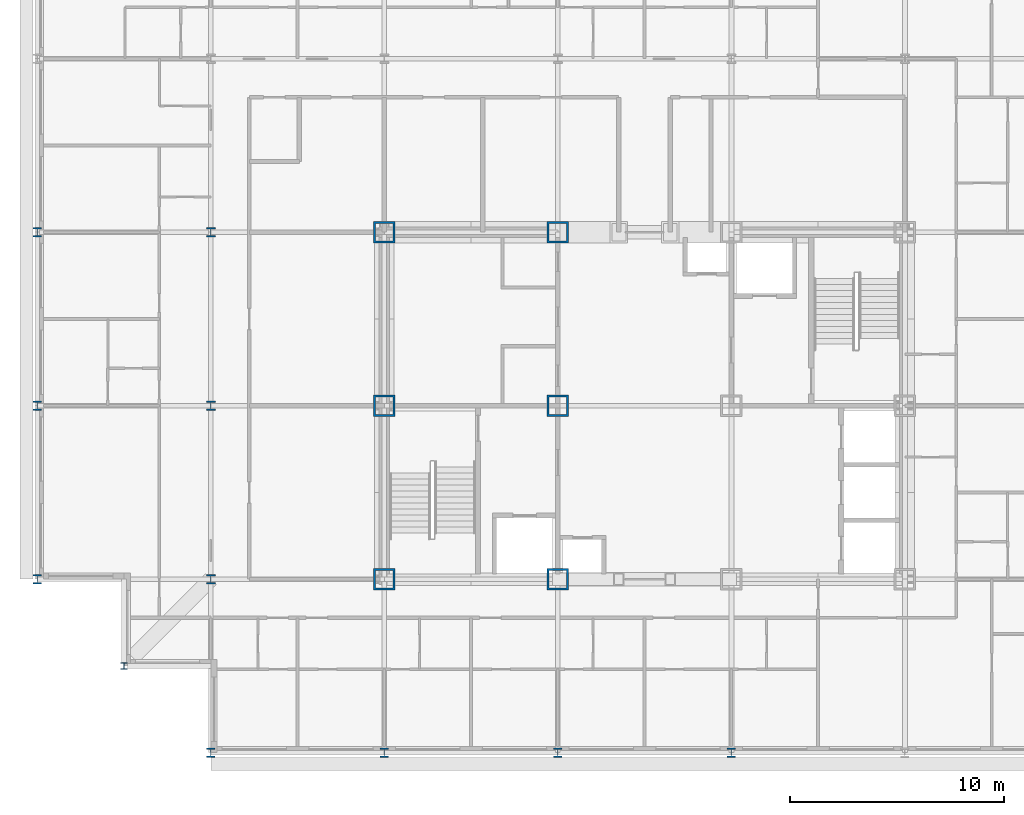
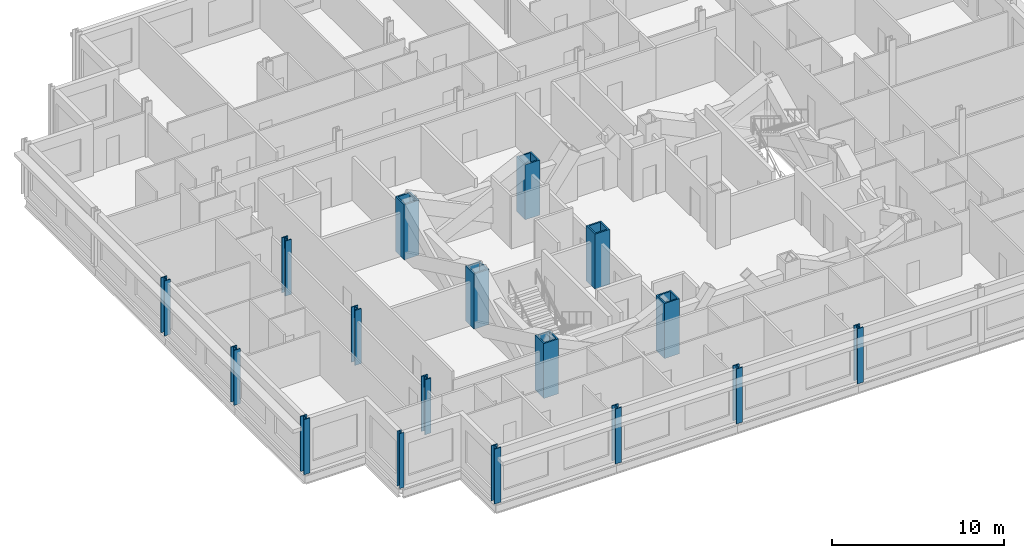
# One storey, part 1 of 16: 17 columns.
"""IFC4 building model written with IfcOpenShell, lengths in metres."""

from ifc_helpers import new_model, si_unit, direction, frame, origin, origin_2d, place, context, subcontext, project, spatial, hollow_rectangle, i_section, extrude, material, material_profile, profile_set, type_object, element, save


model = new_model("IFC4")

# Units and contexts
model_context = context("Model", 3, precision=1e-05, world=origin(), true_north=direction((0.0, 1.0)))
body_context = subcontext(model_context, "Body", "Model", "MODEL_VIEW")
ifc_project = project(units=[si_unit("LENGTHUNIT", "METRE"), si_unit("AREAUNIT", "SQUARE_METRE"), si_unit("VOLUMEUNIT", "CUBIC_METRE"), si_unit("PLANEANGLEUNIT", "RADIAN"), si_unit("MASSUNIT", "GRAM", prefix="KILO")], contexts=[model_context])

# Site, building, storey
site_placement = place(None, origin())
site = spatial("IfcSite", under=ifc_project, at=site_placement, CompositionType="ELEMENT")
building_placement = place(site_placement, origin())
building = spatial("IfcBuilding", under=site, at=building_placement, Name="Kopane Lantern Tower", CompositionType="ELEMENT")
storey_placement = place(building_placement, frame((0.0, 0.0, 261.89990234375)))
storey = spatial("IfcBuildingStorey", under=building, at=storey_placement, Name="L67", CompositionType="ELEMENT", Elevation=261.89990234375)

# Columns
ifc_material_1 = material(Name="Steel S355JR", Category="steel")
ifc_material_profile_1 = material_profile(ifc_material_1, hollow_rectangle(XDim=1.0, YDim=1.0, WallThickness=0.10009765625, at=origin_2d()), Name="BOX 1000x1000x100")
ifc_profile_set_1 = profile_set([ifc_material_profile_1], Name="Steel S355JR")
column_type_1 = type_object("IfcColumnType", Name="COLUMN BOX 1000x1000x100", PredefinedType="COLUMN", material=ifc_profile_set_1)
for number, where, z_axis, x_axis, name in (
    (1, (16.199951171875, 24.300048828125, 0.0), (0.0, 0.0, 1.0), (1.0, 0.0, 0.0), "Column 4/E L67"),
    (2, (16.199951171875, 32.39990234375, 0.0), (0.0, 0.0, 1.0), (1.0, 0.0, 0.0), "Column 4/F L67"),
    (3, (16.199951171875, 40.5, 0.0), (0.0, 0.0, 1.0), (1.0, 0.0, 0.0), "Column 4/G L67"),
    (4, (24.300048828125, 24.300048828125, 0.0), (0.0, 0.0, 1.0), (1.0, 0.0, 0.0), "Column 5/E L67"),
    (5, (24.300048828125, 32.39990234375, 0.0), (0.0, 0.0, 1.0), (1.0, 0.0, 0.0), "Column 5/F L67"),
    (6, (24.300048828125, 40.5, 0.0), (0.0, 0.0, 1.0), (1.0, 0.0, 0.0), "Column 5/G L67"),
):
    element("IfcColumn", number, at=place(storey_placement, frame(where, z_axis=z_axis, x_axis=x_axis)), inside=storey, type_object=column_type_1, Name=name, PredefinedType="COLUMN", context=body_context, shape_type="SweptSolid", body=[
        extrude(hollow_rectangle(XDim=1.0, YDim=1.0, WallThickness=0.10009765625, at=origin_2d()), origin(), (0.0, 0.0, 1.0), 3.900146484375),
    ])
ifc_material_2 = material(Name="Steel S355JR", Category="steel")
ifc_material_profile_2 = material_profile(ifc_material_2, i_section(OverallWidth=0.307373046875, OverallDepth=0.314453125, WebThickness=0.011962890625, FlangeThickness=0.018798828125, FilletRadius=0.01513671875, at=origin_2d()), Name="UC 305x305x118")
ifc_profile_set_2 = profile_set([ifc_material_profile_2], Name="Steel S355JR")
column_type_2 = type_object("IfcColumnType", Name="COLUMN UC 305x305x118", PredefinedType="COLUMN", material=ifc_profile_set_2)
column_placement = place(storey_placement, frame((4.050048828125, 20.25, 0.0), z_axis=(0.0, 0.0, 1.0), x_axis=(1.0, 0.0, 0.0)))
element("IfcColumn", 7, at=column_placement, inside=storey, type_object=column_type_2, Name="Column 4.05/20.25 L67", PredefinedType="COLUMN", context=body_context, shape_type="SweptSolid", body=[
    extrude(i_section(OverallWidth=0.307373046875, OverallDepth=0.314453125, WebThickness=0.011962890625, FlangeThickness=0.018798828125, FilletRadius=0.01513671875, at=origin_2d()), origin(), (0.0, 0.0, 1.0), 3.900146484375),
])
ifc_material_3 = material(Name="Steel S355JR", Category="steel")
ifc_material_profile_3 = material_profile(ifc_material_3, i_section(OverallWidth=0.412109375, OverallDepth=0.4365234375, WebThickness=0.035888671875, FlangeThickness=0.05810546875, FilletRadius=0.01513671875, at=origin_2d()), Name="UC 356x406x467")
ifc_profile_set_3 = profile_set([ifc_material_profile_3], Name="Steel S355JR")
column_type_3 = type_object("IfcColumnType", Name="COLUMN UC 356x406x467", PredefinedType="COLUMN", material=ifc_profile_set_3)
for number, where, z_axis, x_axis, name in (
    (8, (0.0, 24.300048828125, 0.0), (0.0, 0.0, 1.0), (1.0, 0.0, 0.0), "Column 2/E L67"),
    (9, (0.0, 32.39990234375, 0.0), (0.0, 0.0, 1.0), (1.0, 0.0, 0.0), "Column 2/F L67"),
    (10, (0.0, 40.5, 0.0), (0.0, 0.0, 1.0), (1.0, 0.0, 0.0), "Column 2/G L67"),
    (11, (8.10009765625, 16.199951171875, 0.0), (0.0, 0.0, 1.0), (1.0, 0.0, 0.0), "Column 3/D L67"),
    (12, (16.199951171875, 16.199951171875, 0.0), (0.0, 0.0, 1.0), (1.0, 0.0, 0.0), "Column 4/D L67"),
    (13, (24.300048828125, 16.199951171875, 0.0), (0.0, 0.0, 1.0), (1.0, 0.0, 0.0), "Column 5/D L67"),
    (14, (32.39990234375, 16.199951171875, 0.0), (0.0, 0.0, 1.0), (1.0, 0.0, 0.0), "Column 6/D L67"),
):
    element("IfcColumn", number, at=place(storey_placement, frame(where, z_axis=z_axis, x_axis=x_axis)), inside=storey, type_object=column_type_3, Name=name, PredefinedType="COLUMN", context=body_context, shape_type="SweptSolid", body=[
        extrude(i_section(OverallWidth=0.412109375, OverallDepth=0.4365234375, WebThickness=0.035888671875, FlangeThickness=0.05810546875, FilletRadius=0.01513671875, at=origin_2d()), origin(), (0.0, 0.0, 1.0), 3.900146484375),
    ])
ifc_material_4 = material(Name="Steel S355JR", Category="steel")
ifc_material_profile_4 = material_profile(ifc_material_4, i_section(OverallWidth=0.41845703125, OverallDepth=0.45556640625, WebThickness=0.0419921875, FlangeThickness=0.0673828125, FilletRadius=0.01513671875, at=origin_2d()), Name="UC 356x406x551")
ifc_profile_set_4 = profile_set([ifc_material_profile_4], Name="Steel S355JR")
column_type_4 = type_object("IfcColumnType", Name="COLUMN UC 356x406x551", PredefinedType="COLUMN", material=ifc_profile_set_4)
for number, where, z_axis, x_axis, name in (
    (15, (8.10009765625, 24.300048828125, 0.0), (0.0, 0.0, 1.0), (1.0, 0.0, 0.0), "Column 3/E L67"),
    (16, (8.10009765625, 32.39990234375, 0.0), (0.0, 0.0, 1.0), (1.0, 0.0, 0.0), "Column 3/F L67"),
    (17, (8.10009765625, 40.5, 0.0), (0.0, 0.0, 1.0), (1.0, 0.0, 0.0), "Column 3/G L67"),
):
    element("IfcColumn", number, at=place(storey_placement, frame(where, z_axis=z_axis, x_axis=x_axis)), inside=storey, type_object=column_type_4, Name=name, PredefinedType="COLUMN", context=body_context, shape_type="SweptSolid", body=[
        extrude(i_section(OverallWidth=0.41845703125, OverallDepth=0.45556640625, WebThickness=0.0419921875, FlangeThickness=0.0673828125, FilletRadius=0.01513671875, at=origin_2d()), origin(), (0.0, 0.0, 1.0), 3.900146484375),
    ])

save(model, "model.ifc")
